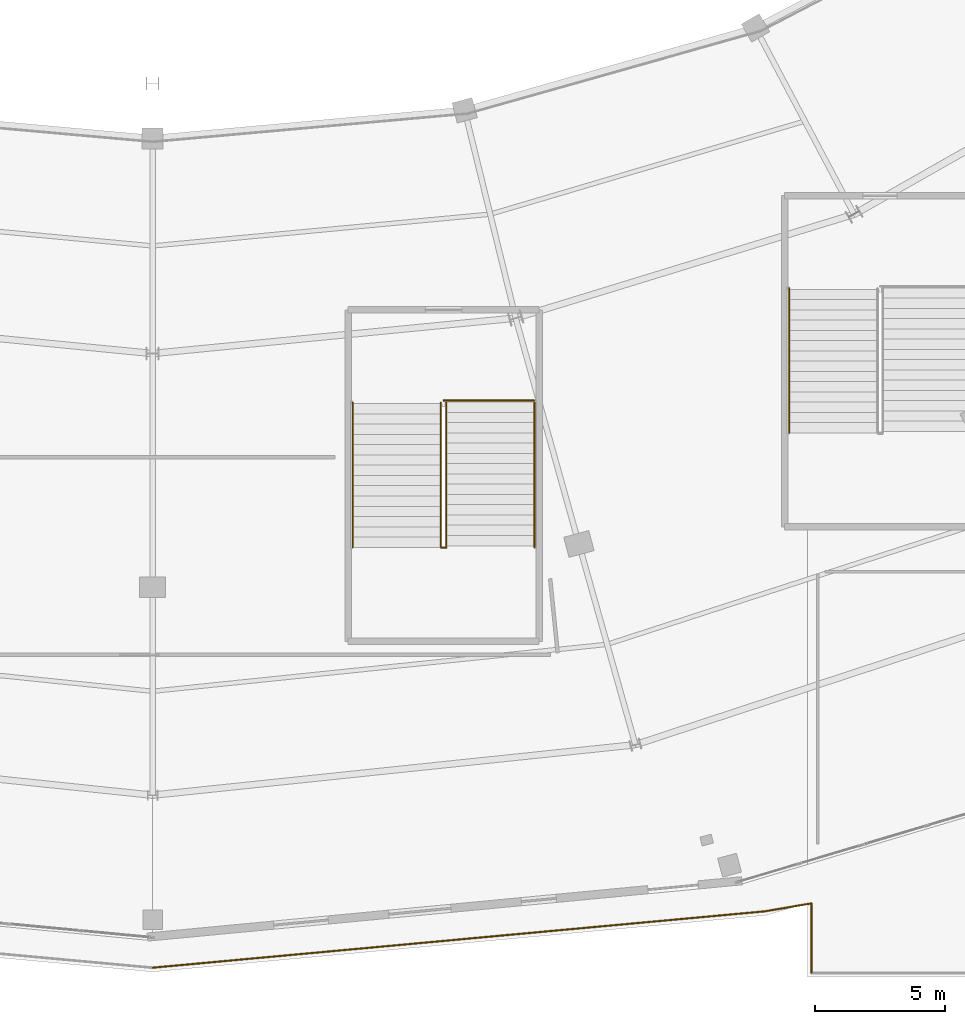
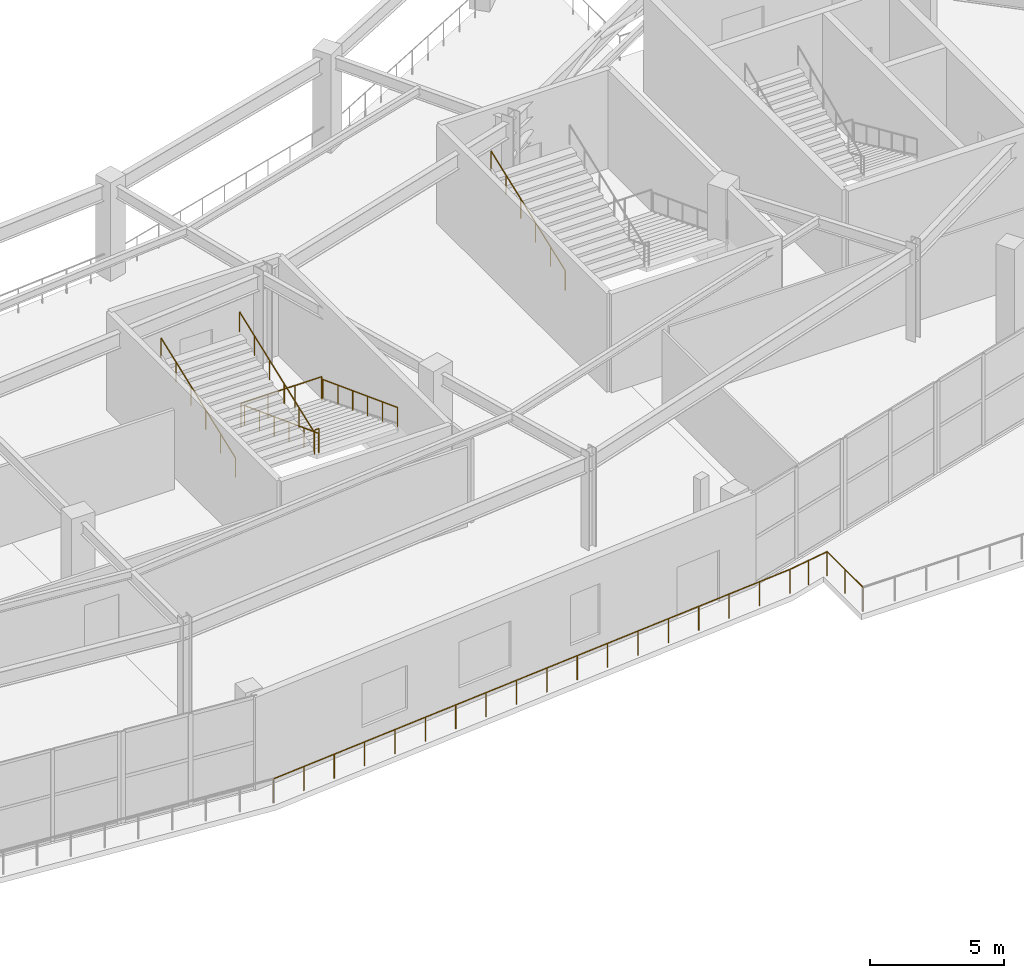
# One storey, part 93 of 107: 10 railings.
"""IFC4 building model written with IfcOpenShell, lengths in metres."""

from ifc_helpers import new_model, si_unit, direction, frame, origin, origin_2d, place, context, subcontext, project, spatial, circle, extrude, material, type_object, element, save


model = new_model("IFC4")

# Units and contexts
model_context = context("Model", 3, precision=1e-05, world=origin(), true_north=direction((0.0, 1.0)))
body_context = subcontext(model_context, "Body", "Model", "MODEL_VIEW")
ifc_project = project(units=[si_unit("LENGTHUNIT", "METRE"), si_unit("AREAUNIT", "SQUARE_METRE"), si_unit("VOLUMEUNIT", "CUBIC_METRE"), si_unit("PLANEANGLEUNIT", "RADIAN"), si_unit("MASSUNIT", "GRAM", prefix="KILO")], contexts=[model_context])

# Site, building, storey
site_placement = place(None, origin())
site = spatial("IfcSite", under=ifc_project, at=site_placement, CompositionType="ELEMENT")
building_placement = place(site_placement, origin())
building = spatial("IfcBuilding", under=site, at=building_placement, Name="Kalgoora Escarpment Arena", CompositionType="ELEMENT")
storey_placement = place(building_placement, frame((0.0, 0.0, 5.39990234375)))
storey = spatial("IfcBuildingStorey", under=building, at=storey_placement, Name="L01", CompositionType="ELEMENT", Elevation=5.39990234375)

# Railings
ifc_material_1 = material(Name="Galvanised & powdercoated tubular steel", Category="steel")
railing_type_1 = type_object("IfcRailingType", Name="RAL-GUARD-1120", PredefinedType="GUARDRAIL", material=ifc_material_1)
railing_1_placement = place(storey_placement, frame((103.695068359375, 16.52001953125, 2.25)))
element("IfcRailing", 1, at=railing_1_placement, inside=storey, type_object=railing_type_1, Name="ST15 L01 half-landing well guard", PredefinedType="GUARDRAIL", context=body_context, shape_type="SweptSolid", body=[
    extrude(circle(Radius=0.02392578125, at=origin_2d()), frame((0.0, 0.0, 1.09619140625), z_axis=(-1.0, 0.0, 0.0), x_axis=(0.0, -1.0, 0.0)), (0.0, 0.0, 1.0), 0.190185546875),
    extrude(circle(Radius=0.02099609375, at=origin_2d()), origin(), (0.0, 0.0, 1.0), 1.072021484375),
    extrude(circle(Radius=0.02099609375, at=origin_2d()), frame((-0.190185546875, 0.0, 0.0)), (0.0, 0.0, 1.0), 1.072021484375),
])
railing_2_placement = place(storey_placement, frame((107.090087890625, 22.18994140625, 0.0)))
element("IfcRailing", 2, at=railing_2_placement, inside=storey, type_object=railing_type_1, Name="ST15 L01 floor landing well guard", PredefinedType="GUARDRAIL", context=body_context, shape_type="SweptSolid", body=[
    extrude(circle(Radius=0.02392578125, at=origin_2d()), frame((0.0, 0.0, 1.09619140625), z_axis=(-1.0, 0.0, 0.0), x_axis=(0.0, -1.0, 0.0)), (0.0, 0.0, 1.0), 3.489990234375),
    extrude(circle(Radius=0.02099609375, at=origin_2d()), origin(), (0.0, 0.0, 1.0), 1.072021484375),
    extrude(circle(Radius=0.02099609375, at=origin_2d()), frame((-1.163330078125, 0.0, 0.0)), (0.0, 0.0, 1.0), 1.072021484375),
    extrude(circle(Radius=0.02099609375, at=origin_2d()), frame((-2.32666015625, 0.0, 0.0)), (0.0, 0.0, 1.0), 1.072021484375),
    extrude(circle(Radius=0.02099609375, at=origin_2d()), frame((-3.489990234375, 0.0, 0.0)), (0.0, 0.0, 1.0), 1.072021484375),
])
ifc_material_2 = material(Name="Brushed stainless steel 316 handrail", Category="steel")
railing_type_2 = type_object("IfcRailingType", Name="RAL-HAND-920", PredefinedType="HANDRAIL", material=ifc_material_2)
for number, where, name in (
    (3, (107.10009765625, 22.110107421875, 0.110107421875), "ST15 L01 pitched stair handrail F1L"),
    (4, (103.705078125, 22.110107421875, 0.110107421875), "ST15 L01 pitched stair handrail F1R"),
):
    element("IfcRailing", number, at=place(storey_placement, frame(where)), inside=storey, type_object=railing_type_2, Name=name, PredefinedType="HANDRAIL", context=body_context, shape_type="SweptSolid", body=[
        extrude(circle(Radius=0.02392578125, at=origin_2d()), frame((0.0, 0.0, 0.89599609375), z_axis=(0.0, -0.935492612948, 0.353346248203), x_axis=(1.0, 0.0, 0.0)), (0.0, 0.0, 1.0), 5.943359375),
        extrude(circle(Radius=0.02099609375, at=origin_2d()), origin(), (0.0, 0.0, 1.0), 0.871826171875),
        extrude(circle(Radius=0.02099609375, at=origin_2d()), frame((0.0, -1.112060546875, 0.419921875)), (0.0, 0.0, 1.0), 0.871826171875),
        extrude(circle(Radius=0.02099609375, at=origin_2d()), frame((0.0, -2.22412109375, 0.840087890625)), (0.0, 0.0, 1.0), 0.871826171875),
        extrude(circle(Radius=0.02099609375, at=origin_2d()), frame((0.0, -3.3359375, 1.260009765625)), (0.0, 0.0, 1.0), 0.871826171875),
        extrude(circle(Radius=0.02099609375, at=origin_2d()), frame((0.0, -4.447998046875, 1.68017578125)), (0.0, 0.0, 1.0), 0.871826171875),
        extrude(circle(Radius=0.02099609375, at=origin_2d()), frame((0.0, -5.56005859375, 2.10009765625)), (0.0, 0.0, 1.0), 0.871826171875),
    ])
for number, where, name in (
    (5, (103.4951171875, 16.550048828125, 2.360107421875), "ST15 L01 pitched stair handrail F2L"),
    (6, (100.10009765625, 16.550048828125, 2.360107421875), "ST15 L01 pitched stair handrail F2R"),
    (7, (116.89990234375, 20.949951171875, 2.360107421875), "ST16 L01 pitched stair handrail F2R"),
):
    element("IfcRailing", number, at=place(storey_placement, frame(where)), inside=storey, type_object=railing_type_2, Name=name, PredefinedType="HANDRAIL", context=body_context, shape_type="SweptSolid", body=[
        extrude(circle(Radius=0.02392578125, at=origin_2d()), frame((0.0, 0.0, 0.89599609375), z_axis=(0.0, 0.935492612948, 0.353346248203), x_axis=(-1.0, 0.0, 0.0)), (0.0, 0.0, 1.0), 5.943359375),
        extrude(circle(Radius=0.02099609375, at=origin_2d()), origin(), (0.0, 0.0, 1.0), 0.871826171875),
        extrude(circle(Radius=0.02099609375, at=origin_2d()), frame((0.0, 1.112060546875, 0.419921875)), (0.0, 0.0, 1.0), 0.871826171875),
        extrude(circle(Radius=0.02099609375, at=origin_2d()), frame((0.0, 2.22412109375, 0.840087890625)), (0.0, 0.0, 1.0), 0.871826171875),
        extrude(circle(Radius=0.02099609375, at=origin_2d()), frame((0.0, 3.3359375, 1.260009765625)), (0.0, 0.0, 1.0), 0.871826171875),
        extrude(circle(Radius=0.02099609375, at=origin_2d()), frame((0.0, 4.447998046875, 1.68017578125)), (0.0, 0.0, 1.0), 0.871826171875),
        extrude(circle(Radius=0.02099609375, at=origin_2d()), frame((0.0, 5.56005859375, 2.10009765625)), (0.0, 0.0, 1.0), 0.871826171875),
    ])
ifc_material_3 = material(Name="Champagne anodised aluminium & laminated glass", Category="aluminium")
railing_type_3 = type_object("IfcRailingType", Name="RAL-TERR-1100", PredefinedType="GUARDRAIL", material=ifc_material_3)
railing_3_placement = place(storey_placement, frame((117.760009765625, 0.159912109375, 0.0)))
element("IfcRailing", 8, at=railing_3_placement, inside=storey, type_object=railing_type_3, Name="Lower Planted Elliptical Garden Promenade perimeter guardrail 007", PredefinedType="GUARDRAIL", context=body_context, shape_type="SweptSolid", body=[
    extrude(circle(Radius=0.02392578125, at=origin_2d()), frame((0.0, 0.0, 1.09619140625), z_axis=(0.0, 1.0, 0.0), x_axis=(-1.0, 0.0, 0.0)), (0.0, 0.0, 1.0), 2.67626953125),
    extrude(circle(Radius=0.02099609375, at=origin_2d()), origin(), (0.0, 0.0, 1.0), 1.072021484375),
    extrude(circle(Radius=0.02099609375, at=origin_2d()), frame((0.0, 1.338134765625, 0.0)), (0.0, 0.0, 1.0), 1.072021484375),
    extrude(circle(Radius=0.02099609375, at=origin_2d()), frame((0.0, 2.67626953125, 0.0)), (0.0, 0.0, 1.0), 1.072021484375),
])
railing_4_placement = place(storey_placement, frame((117.760009765625, 2.836181640625, 0.0)))
element("IfcRailing", 9, at=railing_4_placement, inside=storey, type_object=railing_type_3, Name="Lower Planted Elliptical Garden Promenade perimeter guardrail 008", PredefinedType="GUARDRAIL", context=body_context, shape_type="SweptSolid", body=[
    extrude(circle(Radius=0.02392578125, at=origin_2d()), frame((0.0, 0.0, 1.09619140625), z_axis=(-0.985775119229, -0.168069670998, 0.0), x_axis=(0.168069670998, -0.985775119229, 0.0)), (0.0, 0.0, 1.0), 1.8115234375),
    extrude(circle(Radius=0.02099609375, at=origin_2d()), origin(), (0.0, 0.0, 1.0), 1.072021484375),
    extrude(circle(Radius=0.02099609375, at=origin_2d()), frame((-0.892822265625, -0.15234375, 0.0)), (0.0, 0.0, 1.0), 1.072021484375),
    extrude(circle(Radius=0.02099609375, at=origin_2d()), frame((-1.78564453125, -0.304443359375, 0.0)), (0.0, 0.0, 1.0), 1.072021484375),
])
railing_5_placement = place(storey_placement, frame((115.974365234375, 2.53173828125, 0.0)))
element("IfcRailing", 10, at=railing_5_placement, inside=storey, type_object=railing_type_3, Name="Lower Planted Elliptical Garden Promenade perimeter guardrail 009", PredefinedType="GUARDRAIL", context=body_context, shape_type="SweptSolid", body=[
    extrude(circle(Radius=0.02392578125, at=origin_2d()), frame((0.0, 0.0, 1.09619140625), z_axis=(-0.995785839901, -0.091709111072, 0.0), x_axis=(0.091709111072, -0.995785839901, 0.0)), (0.0, 0.0, 1.0), 23.67431640625),
    extrude(circle(Radius=0.02099609375, at=origin_2d()), origin(), (0.0, 0.0, 1.0), 1.072021484375),
    extrude(circle(Radius=0.02099609375, at=origin_2d()), frame((-1.38671875, -0.127685546875, 0.0)), (0.0, 0.0, 1.0), 1.072021484375),
    extrude(circle(Radius=0.02099609375, at=origin_2d()), frame((-2.7734375, -0.25537109375, 0.0)), (0.0, 0.0, 1.0), 1.072021484375),
    extrude(circle(Radius=0.02099609375, at=origin_2d()), frame((-4.16015625, -0.383056640625, 0.0)), (0.0, 0.0, 1.0), 1.072021484375),
    extrude(circle(Radius=0.02099609375, at=origin_2d()), frame((-5.546875, -0.5107421875, 0.0)), (0.0, 0.0, 1.0), 1.072021484375),
    extrude(circle(Radius=0.02099609375, at=origin_2d()), frame((-6.93359375, -0.638671875, 0.0)), (0.0, 0.0, 1.0), 1.072021484375),
    extrude(circle(Radius=0.02099609375, at=origin_2d()), frame((-8.3203125, -0.766357421875, 0.0)), (0.0, 0.0, 1.0), 1.072021484375),
    extrude(circle(Radius=0.02099609375, at=origin_2d()), frame((-9.70703125, -0.89404296875, 0.0)), (0.0, 0.0, 1.0), 1.072021484375),
    extrude(circle(Radius=0.02099609375, at=origin_2d()), frame((-11.09375, -1.021728515625, 0.0)), (0.0, 0.0, 1.0), 1.072021484375),
    extrude(circle(Radius=0.02099609375, at=origin_2d()), frame((-12.480712890625, -1.1494140625, 0.0)), (0.0, 0.0, 1.0), 1.072021484375),
    extrude(circle(Radius=0.02099609375, at=origin_2d()), frame((-13.867431640625, -1.277099609375, 0.0)), (0.0, 0.0, 1.0), 1.072021484375),
    extrude(circle(Radius=0.02099609375, at=origin_2d()), frame((-15.254150390625, -1.40478515625, 0.0)), (0.0, 0.0, 1.0), 1.072021484375),
    extrude(circle(Radius=0.02099609375, at=origin_2d()), frame((-16.640869140625, -1.532470703125, 0.0)), (0.0, 0.0, 1.0), 1.072021484375),
    extrude(circle(Radius=0.02099609375, at=origin_2d()), frame((-18.027587890625, -1.660400390625, 0.0)), (0.0, 0.0, 1.0), 1.072021484375),
    extrude(circle(Radius=0.02099609375, at=origin_2d()), frame((-19.414306640625, -1.7880859375, 0.0)), (0.0, 0.0, 1.0), 1.072021484375),
    extrude(circle(Radius=0.02099609375, at=origin_2d()), frame((-20.801025390625, -1.915771484375, 0.0)), (0.0, 0.0, 1.0), 1.072021484375),
    extrude(circle(Radius=0.02099609375, at=origin_2d()), frame((-22.187744140625, -2.04345703125, 0.0)), (0.0, 0.0, 1.0), 1.072021484375),
    extrude(circle(Radius=0.02099609375, at=origin_2d()), frame((-23.574462890625, -2.171142578125, 0.0)), (0.0, 0.0, 1.0), 1.072021484375),
])

save(model, "model.ifc")
